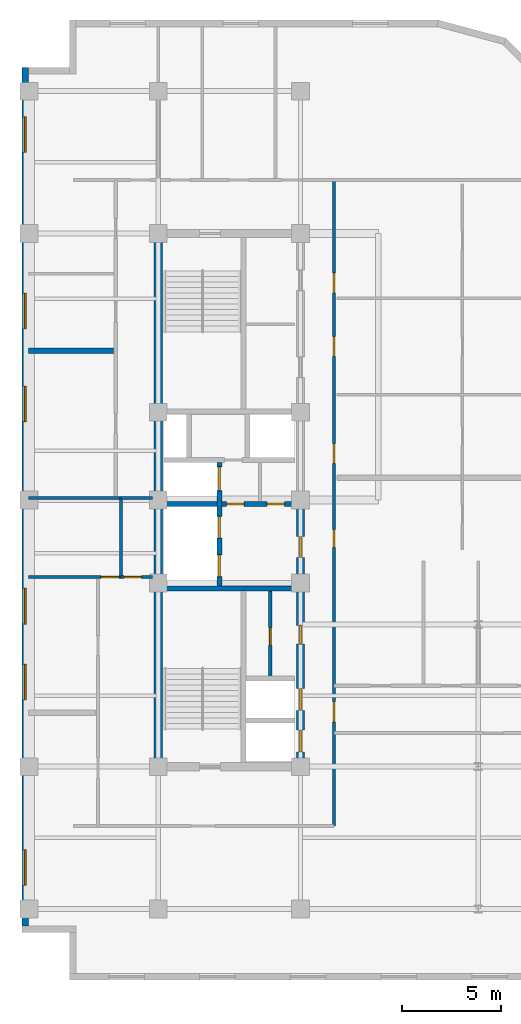
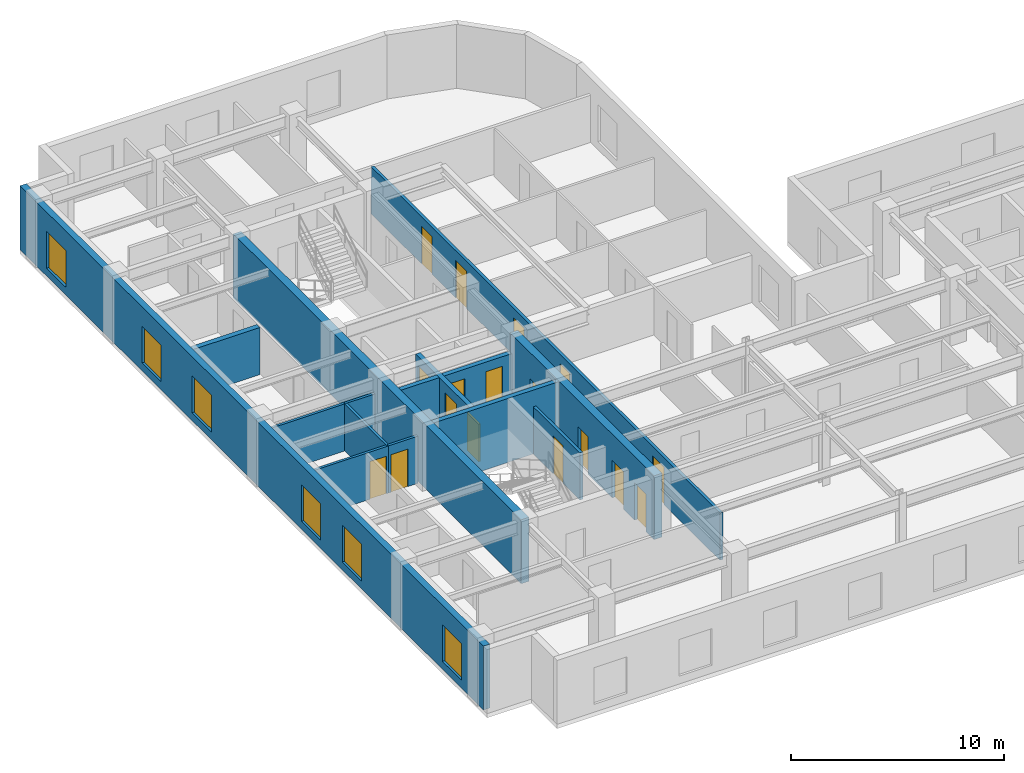
# One storey, part 4 of 10: 17 doors, 14 walls, 6 windows, 23 openings.
"""IFC4 building model written with IfcOpenShell, lengths in metres."""

import ifcopenshell
import ifcopenshell.guid

model = None  # the IFC model being written
_history = None  # IfcOwnerHistory: only IFC2X3 demands one
_inside = {}  # id of a spatial element -> (the spatial element, [elements in it])
_under = {}  # id of a project, library or spatial element -> (it, [spatial elements below it])
_declared = {}  # id of a project -> (the project, [libraries it declares])
_typed = {}  # id of a type object -> (the type object, [elements of that type])
_made_of = {}  # id of a material, layer set ... -> (it, [elements and type objects made of it])


def new_model(schema):
    """Start an empty IFC model of exactly this schema.

    Asked for "IFC4X3", IfcOpenShell would pick the latest addendum, in which some entities
    have other attributes; the version numbers below select the first issue.
    IFC2X3 requires an IfcOwnerHistory on every rooted entity: one is made here for all.
    """
    global model, _history
    if schema == "IFC4X3":
        model = ifcopenshell.file(schema_version=(4, 3, 0, 0))
    else:
        model = ifcopenshell.file(schema=schema)
    _inside.clear()
    _under.clear()
    _declared.clear()
    _typed.clear()
    _made_of.clear()
    _history = None
    if model.schema == "IFC2X3":
        org = make("IfcOrganization", Name="unknown")
        user = make(
            "IfcPersonAndOrganization",
            ThePerson=make("IfcPerson", FamilyName="unknown"),
            TheOrganization=org,
        )
        app = make(
            "IfcApplication",
            ApplicationDeveloper=org,
            Version="unknown",
            ApplicationFullName="unknown",
            ApplicationIdentifier="unknown",
        )
        _history = make(
            "IfcOwnerHistory",
            OwningUser=user,
            OwningApplication=app,
            ChangeAction="ADDED",
            CreationDate=0,
        )
    return model


def make(cls, **values):
    """One entity of the class cls with the attributes given. An attribute that is None is left unset."""
    return model.create_entity(
        cls, **{name: value for name, value in values.items() if value is not None}
    )


def entity(cls, *values):
    """Any entity or typed value of the class cls, its attributes in the order of the schema. None: left unset."""
    e = model.create_entity(cls)
    for i, value in enumerate(values):
        if value is not None:
            e[i] = value
    return e


def rooted(cls, **values):
    """An entity with a GlobalId (a new one), such as an element, a storey or a relation."""
    return make(cls, GlobalId=ifcopenshell.guid.new(), OwnerHistory=_history, **values)


def si_unit(unit_type, name, prefix=None):
    """IfcSIUnit, for example si_unit("LENGTHUNIT", "METRE", prefix="MILLI")."""
    return make("IfcSIUnit", UnitType=unit_type, Prefix=prefix, Name=name)


def converted_unit(unit_type, name, factor, base, dimensions=None, offset=None):
    """IfcConversionBasedUnit, such as the inch: factor (a typed value) times the base unit."""
    return make(
        "IfcConversionBasedUnit"
        if offset is None
        else "IfcConversionBasedUnitWithOffset",
        ConversionOffset=offset,
        Dimensions=None
        if dimensions is None
        else entity("IfcDimensionalExponents", *dimensions),
        UnitType=unit_type,
        Name=name,
        ConversionFactor=make(
            "IfcMeasureWithUnit", ValueComponent=factor, UnitComponent=base
        ),
    )


def assignment(units):
    """IfcUnitAssignment: the units of a project."""
    return None if units is None else make("IfcUnitAssignment", Units=units)


def point(xyz):
    """IfcCartesianPoint."""
    return None if xyz is None else make("IfcCartesianPoint", Coordinates=xyz)


def direction(xyz):
    """IfcDirection."""
    return None if xyz is None else make("IfcDirection", DirectionRatios=xyz)


def frame(location, z_axis=None, x_axis=None):
    """IfcAxis2Placement3D, a coordinate frame: its origin and axes. An axis left out is left unset."""
    return make(
        "IfcAxis2Placement3D",
        Location=point(location),
        Axis=direction(z_axis),
        RefDirection=direction(x_axis),
    )


def frame_2d(location, x_axis=None):
    """IfcAxis2Placement2D, a coordinate frame in the plane: its origin and x axis."""
    return make(
        "IfcAxis2Placement2D", Location=point(location), RefDirection=direction(x_axis)
    )


def origin_with_axes():
    """The frame at (0, 0, 0) with the z axis (0, 0, 1) and the x axis (1, 0, 0) written out."""
    return frame((0.0, 0.0, 0.0), z_axis=(0.0, 0.0, 1.0), x_axis=(1.0, 0.0, 0.0))


def origin_2d_with_axis():
    """The frame at (0, 0) in the plane with the x axis (1, 0) written out."""
    return frame_2d((0.0, 0.0), x_axis=(1.0, 0.0))


def place(relative_to, where):
    """IfcLocalPlacement: puts the frame where relative to a parent placement (None: the world)."""
    return make(
        "IfcLocalPlacement", PlacementRelTo=relative_to, RelativePlacement=where
    )


def context(
    kind, dimensions, precision=None, world=None, true_north=None, identifier=None
):
    """IfcGeometricRepresentationContext, for example the 3D "Model" context."""
    return make(
        "IfcGeometricRepresentationContext",
        ContextIdentifier=identifier,
        ContextType=kind,
        CoordinateSpaceDimension=dimensions,
        Precision=precision,
        WorldCoordinateSystem=world,
        TrueNorth=true_north,
    )


def subcontext(parent, identifier, kind, view, scale=None):
    """IfcGeometricRepresentationSubContext, for example "Body" below "Model"."""
    return make(
        "IfcGeometricRepresentationSubContext",
        ContextIdentifier=identifier,
        ContextType=kind,
        ParentContext=parent,
        TargetScale=scale,
        TargetView=view,
    )


def project(units=None, contexts=None):
    """IfcProject with its units and contexts."""
    return rooted(
        "IfcProject",
        Name="project",
        RepresentationContexts=contexts,
        UnitsInContext=assignment(units),
    )


def spatial(cls, under=None, at=None, **own):
    """A site, building, storey or space (cls), placed at a placement, below another one or the project."""
    s = rooted(cls, ObjectPlacement=at, **own)
    if under is not None:
        _under.setdefault(under.id(), (under, []))[1].append(s)
    return s


def polyline(points):
    """IfcPolyline through the points."""
    return make("IfcPolyline", Points=[point(p) for p in points])


def profile(cls, at=None, kind="AREA", **sizes):
    """A parametric profile (cls). Its sizes go by their IFC names, for example OverallWidth=200.0."""
    return make(cls, ProfileType=kind, Position=at, **sizes)


def rectangle(**sizes):
    """IfcRectangleProfileDef."""
    return profile("IfcRectangleProfileDef", **sizes)


def outline(outer, holes=None, kind="AREA"):
    """IfcArbitraryClosedProfileDef: a profile drawn as a closed curve; with holes, ...WithVoids."""
    if holes is None:
        return make("IfcArbitraryClosedProfileDef", ProfileType=kind, OuterCurve=outer)
    return make(
        "IfcArbitraryProfileDefWithVoids",
        ProfileType=kind,
        OuterCurve=outer,
        InnerCurves=holes,
    )


def extrude(swept, where, along, depth):
    """IfcExtrudedAreaSolid: the profile swept, set in the frame where, extruded along a direction by depth."""
    return make(
        "IfcExtrudedAreaSolid",
        SweptArea=swept,
        Position=where,
        ExtrudedDirection=direction(along),
        Depth=depth,
    )


def shape(context_of_items, identifier, shape_type, items):
    """IfcShapeRepresentation: the items that make up one representation, for example the "Body"."""
    return make(
        "IfcShapeRepresentation",
        ContextOfItems=context_of_items,
        RepresentationIdentifier=identifier,
        RepresentationType=shape_type,
        Items=items,
    )


def material(Name=None, Category=None):
    """IfcMaterial."""
    return make("IfcMaterial", Name=Name, Category=Category)


def layer(
    of_material, thickness, ventilated=None, Name=None, Category=None, Priority=None
):
    """IfcMaterialLayer: one layer of a wall or slab, of a material (None: an air gap)."""
    return make(
        "IfcMaterialLayer",
        Material=of_material,
        LayerThickness=thickness,
        IsVentilated=ventilated,
        Name=Name,
        Category=Category,
        Priority=Priority,
    )


def layer_set(layers, Name=None):
    """IfcMaterialLayerSet."""
    return make("IfcMaterialLayerSet", MaterialLayers=layers, LayerSetName=Name)


def made_of(thing, what):
    """Note that an element or type object is made of a material, layer set ...; save() writes the relation."""
    if what is not None:
        _made_of.setdefault(what.id(), (what, []))[1].append(thing)
    return thing


def type_object(cls, material=None, **own):
    """A type object (cls), such as IfcWallType, which elements share."""
    return made_of(rooted(cls, **own), material)


def element(
    cls,
    number,
    at=None,
    inside=None,
    cuts=None,
    type_object=None,
    material=None,
    context=None,
    identifier="Body",
    shape_type=None,
    held_by="IfcProductDefinitionShape",
    body=None,
    shapes=None,
    **own,
):
    """One element of the class cls, such as IfcWall. Its Tag is "e" and its number.

    at: its placement. inside: the storey or other place that contains it. cuts: it is an
    opening in that element (IfcRelVoidsElement). A single representation is given by context,
    identifier, shape_type and body (its items); several are given by shapes. held_by: the class
    of the entity that holds the representations. save() writes the other relations.
    """
    e = rooted(cls, Tag="e%d" % number, ObjectPlacement=at, **own)
    if body is not None:
        shapes = [shape(context, identifier, shape_type, body)]
    if shapes is not None:
        e.Representation = make(held_by, Representations=shapes)
    if inside is not None:
        _inside.setdefault(inside.id(), (inside, []))[1].append(e)
    if cuts is not None:
        rooted(
            "IfcRelVoidsElement", RelatingBuildingElement=cuts, RelatedOpeningElement=e
        )
    if type_object is not None:
        _typed.setdefault(type_object.id(), (type_object, []))[1].append(e)
    return made_of(e, material)


def fill(opening, filler):
    """IfcRelFillsElement: the door or window that sits in an opening."""
    return rooted(
        "IfcRelFillsElement",
        RelatingOpeningElement=opening,
        RelatedBuildingElement=filler,
    )


def aggregate(whole, parts):
    """IfcRelAggregates: a whole, such as a stair, and the parts it consists of."""
    return rooted("IfcRelAggregates", RelatingObject=whole, RelatedObjects=parts)


def save(model, path):
    """Write the relations noted so far, then the file.

    IfcRelAggregates (storeys below a building ...), IfcRelContainedInSpatialStructure (elements
    in a storey), IfcRelDefinesByType, IfcRelAssociatesMaterial and IfcRelDeclares: one each for
    every whole, place, type object, material and project.
    """
    for whole, parts in _under.values():
        aggregate(whole, parts)
    for where, things in _inside.values():
        rooted(
            "IfcRelContainedInSpatialStructure",
            RelatedElements=things,
            RelatingStructure=where,
        )
    for kind, things in _typed.values():
        rooted("IfcRelDefinesByType", RelatedObjects=things, RelatingType=kind)
    for what, things in _made_of.values():
        rooted("IfcRelAssociatesMaterial", RelatedObjects=things, RelatingMaterial=what)
    for by, libraries in _declared.values():
        rooted("IfcRelDeclares", RelatingContext=by, RelatedDefinitions=libraries)
    model.write(path)


model = new_model("IFC4")

# Units and contexts
model_context = context("Model", 3, precision=1e-05, world=origin_with_axes(), true_north=direction((0.0, 1.0)))
body_context = subcontext(model_context, "Body", "Model", "MODEL_VIEW")
ifc_project = project(units=[si_unit("LENGTHUNIT", "METRE"), si_unit("AREAUNIT", "SQUARE_METRE"), si_unit("VOLUMEUNIT", "CUBIC_METRE"), converted_unit("PLANEANGLEUNIT", "DEGREE", entity("IfcPlaneAngleMeasure", 0.017453292519943295), si_unit("PLANEANGLEUNIT", "RADIAN"), dimensions=[0, 0, 0, 0, 0, 0, 0]), si_unit("MASSUNIT", "GRAM", prefix="KILO"), si_unit("THERMODYNAMICTEMPERATUREUNIT", "KELVIN")], contexts=[model_context])

# Site, building, storey
site_placement = place(None, origin_with_axes())
site = spatial("IfcSite", under=ifc_project, at=site_placement, CompositionType="ELEMENT")
building_placement = place(site_placement, origin_with_axes())
building = spatial("IfcBuilding", under=site, at=building_placement, Name="Varnlund Millrace Tower", CompositionType="ELEMENT")
storey_placement = place(building_placement, frame((0.0, 0.0, 240.3), z_axis=(0.0, 0.0, 1.0), x_axis=(1.0, 0.0, 0.0)))
storey = spatial("IfcBuildingStorey", under=building, at=storey_placement, Name="L59", CompositionType="ELEMENT", Elevation=240.3)

# Wall
ifc_material_1 = material(Name="Concrete C60/75", Category="concrete")
ifc_layer_1 = layer(ifc_material_1, 0.42, Name="Concrete C60/75")
ifc_layer_set_1 = layer_set([ifc_layer_1], Name="Concrete C60/75")
wall_type_1 = type_object("IfcWallType", Name="Type-CoreWall-Shear-420-C60", PredefinedType="SHEAR", material=ifc_layer_set_1)
wall_1_placement = place(storey_placement, frame((11.4, 10.8, 0.0), z_axis=(0.0, 0.0, 1.0), x_axis=(0.0, 1.0, 0.0)))
element("IfcWall", 1, at=wall_1_placement, inside=storey, type_object=wall_type_1, Name="Type-CoreWall-Shear-420-C60", PredefinedType="SHEAR", context=body_context, shape_type="SweptSolid", body=[
    extrude(outline(polyline([(0.0, -0.21), (27.0, -0.21), (27.0, 0.21), (0.0, 0.21), (0.0, -0.21)])), origin_with_axes(), (0.0, 0.0, 1.0), 3.66),
])

# Wall, openings, doors
wall_2_placement = place(storey_placement, frame((18.6, 10.8, 0.0), z_axis=(0.0, 0.0, 1.0), x_axis=(0.0, 1.0, 0.0)))
wall_2 = element("IfcWall", 2, at=wall_2_placement, inside=storey, type_object=wall_type_1, Name="Type-CoreWall-Shear-420-C60", PredefinedType="SHEAR", context=body_context, shape_type="SweptSolid", body=[
    extrude(outline(polyline([(0.0, -0.21), (13.5, -0.21), (13.5, 0.21), (0.0, 0.21), (0.0, -0.21)])), origin_with_axes(), (0.0, 0.0, 1.0), 3.66),
])
opening_1_placement = place(wall_2_placement, frame((1.3, 0.0, 0.0), z_axis=(0.0, 0.0, 1.0), x_axis=(1.0, 0.0, 0.0)))
opening_1 = element("IfcOpeningElement", 3, at=opening_1_placement, cuts=wall_2, Name="Opening L59:LD-ELV-H1", PredefinedType="OPENING", context=body_context, shape_type="SweptSolid", body=[
    extrude(rectangle(XDim=1.1, YDim=0.44, at=origin_2d_with_axis()), origin_with_axes(), (0.0, 0.0, 1.0), 2.15),
])
opening_2_placement = place(wall_2_placement, frame((3.4, 0.0, 0.0), z_axis=(0.0, 0.0, 1.0), x_axis=(1.0, 0.0, 0.0)))
opening_2 = element("IfcOpeningElement", 4, at=opening_2_placement, cuts=wall_2, Name="Opening L59:LD-ELV-H2", PredefinedType="OPENING", context=body_context, shape_type="SweptSolid", body=[
    extrude(rectangle(XDim=1.1, YDim=0.44, at=origin_2d_with_axis()), origin_with_axes(), (0.0, 0.0, 1.0), 2.15),
])
opening_3_placement = place(wall_2_placement, frame((11.125, 0.0, 0.0), z_axis=(0.0, 0.0, 1.0), x_axis=(1.0, 0.0, 0.0)))
opening_3 = element("IfcOpeningElement", 5, at=opening_3_placement, cuts=wall_2, Name="Opening L59:DR-FFLOB-A", PredefinedType="OPENING", context=body_context, shape_type="SweptSolid", body=[
    extrude(rectangle(XDim=1.05, YDim=0.44, at=origin_2d_with_axis()), origin_with_axes(), (0.0, 0.0, 1.0), 2.15),
])
opening_4_placement = place(wall_2_placement, frame((6.675, 0.0, 0.0), z_axis=(0.0, 0.0, 1.0), x_axis=(1.0, 0.0, 0.0)))
opening_4 = element("IfcOpeningElement", 6, at=opening_4_placement, cuts=wall_2, Name="Opening L59:DR-RECL-S1B2", PredefinedType="OPENING", context=body_context, shape_type="SweptSolid", body=[
    extrude(rectangle(XDim=0.95, YDim=0.44, at=origin_2d_with_axis()), origin_with_axes(), (0.0, 0.0, 1.0), 2.15),
])
ifc_material_2 = material(Name="Smoke-barrier hollow steel fire door", Category="steel")
door_type_1 = type_object("IfcDoorType", Name="Type-FireDoor-Lobby-1050X2150", OperationType="NOTDEFINED", PredefinedType="DOOR", material=ifc_material_2)
door_1_placement = place(wall_2_placement, frame((11.125, 0.0, 0.0), z_axis=(0.0, 0.0, 1.0), x_axis=(1.0, 0.0, 0.0)))
door_1 = element("IfcDoor", 7, at=door_1_placement, inside=storey, type_object=door_type_1, Name="Type-FireDoor-Lobby-1050X2150", OperationType="SINGLE_SWING_LEFT", OverallHeight=2.15, OverallWidth=1.05, PredefinedType="DOOR", context=body_context, shape_type="SweptSolid", body=[
    extrude(rectangle(XDim=1.05, YDim=0.09, at=origin_2d_with_axis()), origin_with_axes(), (0.0, 0.0, 1.0), 2.15),
])
fill(opening_3, door_1)
ifc_material_3 = material(Name="Fire-rated hollow steel core service door", Category="steel")
door_type_2 = type_object("IfcDoorType", Name="Type-FireDoor-Service-950X2150", OperationType="NOTDEFINED", PredefinedType="DOOR", material=ifc_material_3)
door_2_placement = place(wall_2_placement, frame((6.675, 0.0, 0.0), z_axis=(0.0, 0.0, 1.0), x_axis=(1.0, 0.0, 0.0)))
door_2 = element("IfcDoor", 8, at=door_2_placement, inside=storey, type_object=door_type_2, Name="Type-FireDoor-Service-950X2150", OperationType="SINGLE_SWING_RIGHT", OverallHeight=2.15, OverallWidth=0.95, PredefinedType="DOOR", context=body_context, shape_type="SweptSolid", body=[
    extrude(rectangle(XDim=0.95, YDim=0.09, at=origin_2d_with_axis()), origin_with_axes(), (0.0, 0.0, 1.0), 2.15),
])
fill(opening_4, door_2)
ifc_material_4 = material(Name="Stainless and architectural bronze sliding landing door")
door_type_3 = type_object("IfcDoorType", Name="Type-LiftLandingDoor-1100X2150", OperationType="NOTDEFINED", PredefinedType="DOOR", material=ifc_material_4)
door_3_placement = place(wall_2_placement, frame((1.3, 0.0, 0.0), z_axis=(0.0, 0.0, 1.0), x_axis=(1.0, 0.0, 0.0)))
door_3 = element("IfcDoor", 9, at=door_3_placement, inside=storey, type_object=door_type_3, Name="Type-LiftLandingDoor-1100X2150", OperationType="SLIDING_TO_LEFT", OverallHeight=2.15, OverallWidth=1.1, PredefinedType="DOOR", context=body_context, shape_type="SweptSolid", body=[
    extrude(rectangle(XDim=1.1, YDim=0.09, at=origin_2d_with_axis()), origin_with_axes(), (0.0, 0.0, 1.0), 2.15),
])
fill(opening_1, door_3)
door_4_placement = place(wall_2_placement, frame((3.4, 0.0, 0.0), z_axis=(0.0, 0.0, 1.0), x_axis=(1.0, 0.0, 0.0)))
door_4 = element("IfcDoor", 10, at=door_4_placement, inside=storey, type_object=door_type_3, Name="Type-LiftLandingDoor-1100X2150", OperationType="SLIDING_TO_RIGHT", OverallHeight=2.15, OverallWidth=1.1, PredefinedType="DOOR", context=body_context, shape_type="SweptSolid", body=[
    extrude(rectangle(XDim=1.1, YDim=0.09, at=origin_2d_with_axis()), origin_with_axes(), (0.0, 0.0, 1.0), 2.15),
])
fill(opening_2, door_4)

# Wall, openings, windows
ifc_material_5 = material(Name="Precast concrete C50/60", Category="concrete")
ifc_layer_2 = layer(ifc_material_5, 0.34, Name="Precast concrete C50/60")
ifc_layer_set_2 = layer_set([ifc_layer_2], Name="Precast concrete C50/60")
wall_type_2 = type_object("IfcWallType", Name="Type-ExtWall-Precast-Upper-340", PredefinedType="SOLIDWALL", material=ifc_layer_set_2)
wall_3_placement = place(storey_placement, frame((4.67, 2.74, 0.0), z_axis=(0.0, 0.0, 1.0), x_axis=(0.0, 1.0, 0.0)))
wall_3 = element("IfcWall", 11, at=wall_3_placement, inside=storey, type_object=wall_type_2, Name="Type-ExtWall-Precast-Upper-340", PredefinedType="SOLIDWALL", context=body_context, shape_type="SweptSolid", body=[
    extrude(outline(polyline([(0.0, -0.17), (43.46, -0.17), (43.46, 0.17), (0.0, 0.17), (0.0, -0.17)])), origin_with_axes(), (0.0, 0.0, 1.0), 3.66),
])
opening_5_placement = place(wall_3_placement, frame((2.948, 0.0, 0.45), z_axis=(0.0, 0.0, 1.0), x_axis=(1.0, 0.0, 0.0)))
opening_5 = element("IfcOpeningElement", 12, at=opening_5_placement, cuts=wall_3, Name="Opening L59:WN-16", PredefinedType="OPENING", context=body_context, shape_type="SweptSolid", body=[
    extrude(rectangle(XDim=1.8, YDim=0.36, at=origin_2d_with_axis()), origin_with_axes(), (0.0, 0.0, 1.0), 2.1),
])
opening_6_placement = place(wall_3_placement, frame((12.339, 0.0, 0.45), z_axis=(0.0, 0.0, 1.0), x_axis=(1.0, 0.0, 0.0)))
opening_6 = element("IfcOpeningElement", 13, at=opening_6_placement, cuts=wall_3, Name="Opening L59:WN-17", PredefinedType="OPENING", context=body_context, shape_type="SweptSolid", body=[
    extrude(rectangle(XDim=1.8, YDim=0.36, at=origin_2d_with_axis()), origin_with_axes(), (0.0, 0.0, 1.0), 2.1),
])
opening_7_placement = place(wall_3_placement, frame((16.184, 0.0, 0.45), z_axis=(0.0, 0.0, 1.0), x_axis=(1.0, 0.0, 0.0)))
opening_7 = element("IfcOpeningElement", 14, at=opening_7_placement, cuts=wall_3, Name="Opening L59:WN-18", PredefinedType="OPENING", context=body_context, shape_type="SweptSolid", body=[
    extrude(rectangle(XDim=1.8, YDim=0.36, at=origin_2d_with_axis()), origin_with_axes(), (0.0, 0.0, 1.0), 2.1),
])
opening_8_placement = place(wall_3_placement, frame((26.426, 0.0, 0.45), z_axis=(0.0, 0.0, 1.0), x_axis=(1.0, 0.0, 0.0)))
opening_8 = element("IfcOpeningElement", 15, at=opening_8_placement, cuts=wall_3, Name="Opening L59:WN-19", PredefinedType="OPENING", context=body_context, shape_type="SweptSolid", body=[
    extrude(rectangle(XDim=1.8, YDim=0.36, at=origin_2d_with_axis()), origin_with_axes(), (0.0, 0.0, 1.0), 2.1),
])
opening_9_placement = place(wall_3_placement, frame((31.121, 0.0, 0.45), z_axis=(0.0, 0.0, 1.0), x_axis=(1.0, 0.0, 0.0)))
opening_9 = element("IfcOpeningElement", 16, at=opening_9_placement, cuts=wall_3, Name="Opening L59:WN-20", PredefinedType="OPENING", context=body_context, shape_type="SweptSolid", body=[
    extrude(rectangle(XDim=1.8, YDim=0.36, at=origin_2d_with_axis()), origin_with_axes(), (0.0, 0.0, 1.0), 2.1),
])
opening_10_placement = place(wall_3_placement, frame((40.062, 0.0, 0.45), z_axis=(0.0, 0.0, 1.0), x_axis=(1.0, 0.0, 0.0)))
opening_10 = element("IfcOpeningElement", 17, at=opening_10_placement, cuts=wall_3, Name="Opening L59:WN-21", PredefinedType="OPENING", context=body_context, shape_type="SweptSolid", body=[
    extrude(rectangle(XDim=1.8, YDim=0.36, at=origin_2d_with_axis()), origin_with_axes(), (0.0, 0.0, 1.0), 2.1),
])
ifc_material_6 = material(Name="Argon low-e triple glazing in thermally broken bronze frame", Category="glass")
window_type = type_object("IfcWindowType", Name="Type-Window-Punched-1800X2100", PartitioningType="SINGLE_PANEL", PredefinedType="WINDOW", material=ifc_material_6)
window_1_placement = place(wall_3_placement, frame((2.948, 0.0, 0.45), z_axis=(0.0, 0.0, 1.0), x_axis=(1.0, 0.0, 0.0)))
window_1 = element("IfcWindow", 18, at=window_1_placement, inside=storey, type_object=window_type, Name="Type-Window-Punched-1800X2100", OverallHeight=2.1, OverallWidth=1.8, PredefinedType="WINDOW", context=body_context, shape_type="SweptSolid", body=[
    extrude(rectangle(XDim=1.8, YDim=0.09, at=origin_2d_with_axis()), origin_with_axes(), (0.0, 0.0, 1.0), 2.1),
])
fill(opening_5, window_1)
window_2_placement = place(wall_3_placement, frame((12.339, 0.0, 0.45), z_axis=(0.0, 0.0, 1.0), x_axis=(1.0, 0.0, 0.0)))
window_2 = element("IfcWindow", 19, at=window_2_placement, inside=storey, type_object=window_type, Name="Type-Window-Punched-1800X2100", OverallHeight=2.1, OverallWidth=1.8, PredefinedType="WINDOW", context=body_context, shape_type="SweptSolid", body=[
    extrude(rectangle(XDim=1.8, YDim=0.09, at=origin_2d_with_axis()), origin_with_axes(), (0.0, 0.0, 1.0), 2.1),
])
fill(opening_6, window_2)
window_3_placement = place(wall_3_placement, frame((16.184, 0.0, 0.45), z_axis=(0.0, 0.0, 1.0), x_axis=(1.0, 0.0, 0.0)))
window_3 = element("IfcWindow", 20, at=window_3_placement, inside=storey, type_object=window_type, Name="Type-Window-Punched-1800X2100", OverallHeight=2.1, OverallWidth=1.8, PredefinedType="WINDOW", context=body_context, shape_type="SweptSolid", body=[
    extrude(rectangle(XDim=1.8, YDim=0.09, at=origin_2d_with_axis()), origin_with_axes(), (0.0, 0.0, 1.0), 2.1),
])
fill(opening_7, window_3)
window_4_placement = place(wall_3_placement, frame((26.426, 0.0, 0.45), z_axis=(0.0, 0.0, 1.0), x_axis=(1.0, 0.0, 0.0)))
window_4 = element("IfcWindow", 21, at=window_4_placement, inside=storey, type_object=window_type, Name="Type-Window-Punched-1800X2100", OverallHeight=2.1, OverallWidth=1.8, PredefinedType="WINDOW", context=body_context, shape_type="SweptSolid", body=[
    extrude(rectangle(XDim=1.8, YDim=0.09, at=origin_2d_with_axis()), origin_with_axes(), (0.0, 0.0, 1.0), 2.1),
])
fill(opening_8, window_4)
window_5_placement = place(wall_3_placement, frame((31.121, 0.0, 0.45), z_axis=(0.0, 0.0, 1.0), x_axis=(1.0, 0.0, 0.0)))
window_5 = element("IfcWindow", 22, at=window_5_placement, inside=storey, type_object=window_type, Name="Type-Window-Punched-1800X2100", OverallHeight=2.1, OverallWidth=1.8, PredefinedType="WINDOW", context=body_context, shape_type="SweptSolid", body=[
    extrude(rectangle(XDim=1.8, YDim=0.09, at=origin_2d_with_axis()), origin_with_axes(), (0.0, 0.0, 1.0), 2.1),
])
fill(opening_9, window_5)
window_6_placement = place(wall_3_placement, frame((40.062, 0.0, 0.45), z_axis=(0.0, 0.0, 1.0), x_axis=(1.0, 0.0, 0.0)))
window_6 = element("IfcWindow", 23, at=window_6_placement, inside=storey, type_object=window_type, Name="Type-Window-Punched-1800X2100", OverallHeight=2.1, OverallWidth=1.8, PredefinedType="WINDOW", context=body_context, shape_type="SweptSolid", body=[
    extrude(rectangle(XDim=1.8, YDim=0.09, at=origin_2d_with_axis()), origin_with_axes(), (0.0, 0.0, 1.0), 2.1),
])
fill(opening_10, window_6)

# Wall
ifc_material_7 = material(Name="Double-stud STC-60 conference acoustic partition", Category="gypsum")
ifc_layer_3 = layer(ifc_material_7, 0.28, Name="Double-stud STC-60 conference acoustic partition")
ifc_layer_set_3 = layer_set([ifc_layer_3], Name="Double-stud STC-60 conference acoustic partition")
wall_type_3 = type_object("IfcWallType", Name="Type-Partition-Acoustic-280", PredefinedType="PARTITIONING", material=ifc_layer_set_3)
wall_4_placement = place(storey_placement, frame((4.835, 31.869, 0.0), z_axis=(0.0, 0.0, 1.0), x_axis=(1.0, 0.0, 0.0)))
element("IfcWall", 24, at=wall_4_placement, inside=storey, type_object=wall_type_3, Name="Type-Partition-Acoustic-280", PredefinedType="PARTITIONING", context=body_context, shape_type="SweptSolid", body=[
    extrude(outline(polyline([(0.0, -0.14), (4.295, -0.14), (4.295, 0.14), (0.0, 0.14), (0.0, -0.14)])), origin_with_axes(), (0.0, 0.0, 1.0), 2.7),
])

# Wall, opening, door
ifc_material_8 = material(Name="Fire-rated gypsum board on cold-formed steel framing", Category="steel")
ifc_layer_4 = layer(ifc_material_8, 0.16, Name="Fire-rated gypsum board on cold-formed steel framing")
ifc_layer_set_4 = layer_set([ifc_layer_4], Name="Fire-rated gypsum board on cold-formed steel framing")
wall_type_4 = type_object("IfcWallType", Name="Type-Partition-Corridor-160", PredefinedType="PARTITIONING", material=ifc_layer_set_4)
wall_5_placement = place(storey_placement, frame((17.07, 15.34, 0.0), z_axis=(0.0, 0.0, 1.0), x_axis=(0.0, 1.0, 0.0)))
wall_5 = element("IfcWall", 25, at=wall_5_placement, inside=storey, type_object=wall_type_4, Name="Type-Partition-Corridor-160", PredefinedType="PARTITIONING", context=body_context, shape_type="SweptSolid", body=[
    extrude(outline(polyline([(0.0, -0.08), (4.36, -0.08), (4.36, 0.08), (0.0, 0.08), (0.0, -0.08)])), origin_with_axes(), (0.0, 0.0, 1.0), 2.7),
])
opening_11_placement = place(wall_5_placement, frame((2.05, 0.0, 0.0), z_axis=(0.0, 0.0, 1.0), x_axis=(1.0, 0.0, 0.0)))
opening_11 = element("IfcOpeningElement", 26, at=opening_11_placement, cuts=wall_5, Name="Opening L59:DR-RECL-S1B1", PredefinedType="OPENING", context=body_context, shape_type="SweptSolid", body=[
    extrude(rectangle(XDim=0.9, YDim=0.18, at=origin_2d_with_axis()), origin_with_axes(), (0.0, 0.0, 1.0), 2.15),
])
ifc_material_9 = material(Name="Painted steel riser and closet door", Category="steel")
door_type_4 = type_object("IfcDoorType", Name="Type-IntDoor-Closet-900X2150", OperationType="NOTDEFINED", PredefinedType="DOOR", material=ifc_material_9)
door_5_placement = place(wall_5_placement, frame((2.05, 0.0, 0.0), z_axis=(0.0, 0.0, 1.0), x_axis=(1.0, 0.0, 0.0)))
door_5 = element("IfcDoor", 27, at=door_5_placement, inside=storey, type_object=door_type_4, Name="Type-IntDoor-Closet-900X2150", OperationType="SINGLE_SWING_LEFT", OverallHeight=2.15, OverallWidth=0.9, PredefinedType="DOOR", context=body_context, shape_type="SweptSolid", body=[
    extrude(rectangle(XDim=0.9, YDim=0.09, at=origin_2d_with_axis()), origin_with_axes(), (0.0, 0.0, 1.0), 2.15),
])
fill(opening_11, door_5)

# Wall, openings, doors
wall_6_placement = place(storey_placement, frame((20.3, 7.8, 0.0), z_axis=(0.0, 0.0, 1.0), x_axis=(0.0, 1.0, 0.0)))
wall_6 = element("IfcWall", 28, at=wall_6_placement, inside=storey, type_object=wall_type_4, Name="Type-Partition-Corridor-160", PredefinedType="PARTITIONING", context=body_context, shape_type="SweptSolid", body=[
    extrude(outline(polyline([(0.0, -0.08), (32.7, -0.08), (32.7, 0.08), (0.0, 0.08), (0.0, -0.08)])), origin_with_axes(), (0.0, 0.0, 1.0), 2.7),
])
opening_12_placement = place(wall_6_placement, frame((14.55, 0.0, 0.0), z_axis=(0.0, 0.0, 1.0), x_axis=(1.0, 0.0, 0.0)))
opening_12 = element("IfcOpeningElement", 29, at=opening_12_placement, cuts=wall_6, Name="Opening L59:DR-FLR-01", PredefinedType="OPENING", context=body_context, shape_type="SweptSolid", body=[
    extrude(rectangle(XDim=0.9, YDim=0.18, at=origin_2d_with_axis()), origin_with_axes(), (0.0, 0.0, 1.0), 2.15),
])
opening_13_placement = place(wall_6_placement, frame((18.86, 0.0, 0.0), z_axis=(0.0, 0.0, 1.0), x_axis=(1.0, 0.0, 0.0)))
opening_13 = element("IfcOpeningElement", 30, at=opening_13_placement, cuts=wall_6, Name="Opening L59:DR-FLR-02", PredefinedType="OPENING", context=body_context, shape_type="SweptSolid", body=[
    extrude(rectangle(XDim=1.0, YDim=0.18, at=origin_2d_with_axis()), origin_with_axes(), (0.0, 0.0, 1.0), 2.15),
])
opening_14_placement = place(wall_6_placement, frame((24.2755, 0.0, 0.0), z_axis=(0.0, 0.0, 1.0), x_axis=(1.0, 0.0, 0.0)))
opening_14 = element("IfcOpeningElement", 31, at=opening_14_placement, cuts=wall_6, Name="Opening L59:DR-FLR-03", PredefinedType="OPENING", context=body_context, shape_type="SweptSolid", body=[
    extrude(rectangle(XDim=1.0, YDim=0.18, at=origin_2d_with_axis()), origin_with_axes(), (0.0, 0.0, 1.0), 2.15),
])
opening_15_placement = place(wall_6_placement, frame((27.491, 0.0, 0.0), z_axis=(0.0, 0.0, 1.0), x_axis=(1.0, 0.0, 0.0)))
opening_15 = element("IfcOpeningElement", 32, at=opening_15_placement, cuts=wall_6, Name="Opening L59:DR-FLR-04", PredefinedType="OPENING", context=body_context, shape_type="SweptSolid", body=[
    extrude(rectangle(XDim=1.0, YDim=0.18, at=origin_2d_with_axis()), origin_with_axes(), (0.0, 0.0, 1.0), 2.15),
])
opening_16_placement = place(wall_6_placement, frame((5.775, 0.0, 0.0), z_axis=(0.0, 0.0, 1.0), x_axis=(1.0, 0.0, 0.0)))
opening_16 = element("IfcOpeningElement", 33, at=opening_16_placement, cuts=wall_6, Name="Opening L59:DR-KN-W", PredefinedType="OPENING", context=body_context, shape_type="SweptSolid", body=[
    extrude(rectangle(XDim=1.05, YDim=0.18, at=origin_2d_with_axis()), origin_with_axes(), (0.0, 0.0, 1.0), 2.15),
])
door_6_placement = place(wall_6_placement, frame((5.775, 0.0, 0.0), z_axis=(0.0, 0.0, 1.0), x_axis=(1.0, 0.0, 0.0)))
door_6 = element("IfcDoor", 34, at=door_6_placement, inside=storey, type_object=door_type_1, Name="Type-FireDoor-Lobby-1050X2150", OperationType="SINGLE_SWING_LEFT", OverallHeight=2.15, OverallWidth=1.05, PredefinedType="DOOR", context=body_context, shape_type="SweptSolid", body=[
    extrude(rectangle(XDim=1.05, YDim=0.09, at=origin_2d_with_axis()), origin_with_axes(), (0.0, 0.0, 1.0), 2.15),
])
fill(opening_16, door_6)
door_7_placement = place(wall_6_placement, frame((14.55, 0.0, 0.0), z_axis=(0.0, 0.0, 1.0), x_axis=(1.0, 0.0, 0.0)))
door_7 = element("IfcDoor", 35, at=door_7_placement, inside=storey, type_object=door_type_4, Name="Type-IntDoor-Closet-900X2150", OperationType="SINGLE_SWING_LEFT", OverallHeight=2.15, OverallWidth=0.9, PredefinedType="DOOR", context=body_context, shape_type="SweptSolid", body=[
    extrude(rectangle(XDim=0.9, YDim=0.09, at=origin_2d_with_axis()), origin_with_axes(), (0.0, 0.0, 1.0), 2.15),
])
fill(opening_12, door_7)
ifc_material_10 = material(Name="Solid-core white oak and bronze frame door")
door_type_5 = type_object("IfcDoorType", Name="Type-IntDoor-Office-1000X2150", OperationType="NOTDEFINED", PredefinedType="DOOR", material=ifc_material_10)
door_8_placement = place(wall_6_placement, frame((18.86, 0.0, 0.0), z_axis=(0.0, 0.0, 1.0), x_axis=(1.0, 0.0, 0.0)))
door_8 = element("IfcDoor", 36, at=door_8_placement, inside=storey, type_object=door_type_5, Name="Type-IntDoor-Office-1000X2150", OperationType="SINGLE_SWING_RIGHT", OverallHeight=2.15, OverallWidth=1.0, PredefinedType="DOOR", context=body_context, shape_type="SweptSolid", body=[
    extrude(rectangle(XDim=1.0, YDim=0.09, at=origin_2d_with_axis()), origin_with_axes(), (0.0, 0.0, 1.0), 2.15),
])
fill(opening_13, door_8)
door_9_placement = place(wall_6_placement, frame((24.2755, 0.0, 0.0), z_axis=(0.0, 0.0, 1.0), x_axis=(1.0, 0.0, 0.0)))
door_9 = element("IfcDoor", 37, at=door_9_placement, inside=storey, type_object=door_type_5, Name="Type-IntDoor-Office-1000X2150", OperationType="SINGLE_SWING_LEFT", OverallHeight=2.15, OverallWidth=1.0, PredefinedType="DOOR", context=body_context, shape_type="SweptSolid", body=[
    extrude(rectangle(XDim=1.0, YDim=0.09, at=origin_2d_with_axis()), origin_with_axes(), (0.0, 0.0, 1.0), 2.15),
])
fill(opening_14, door_9)
door_10_placement = place(wall_6_placement, frame((27.491, 0.0, 0.0), z_axis=(0.0, 0.0, 1.0), x_axis=(1.0, 0.0, 0.0)))
door_10 = element("IfcDoor", 38, at=door_10_placement, inside=storey, type_object=door_type_5, Name="Type-IntDoor-Office-1000X2150", OperationType="SINGLE_SWING_RIGHT", OverallHeight=2.15, OverallWidth=1.0, PredefinedType="DOOR", context=body_context, shape_type="SweptSolid", body=[
    extrude(rectangle(XDim=1.0, YDim=0.09, at=origin_2d_with_axis()), origin_with_axes(), (0.0, 0.0, 1.0), 2.15),
])
fill(opening_15, door_10)

# Wall
ifc_material_11 = material(Name="Moisture-resistant gypsum restroom partition", Category="gypsum")
ifc_layer_5 = layer(ifc_material_11, 0.14, Name="Moisture-resistant gypsum restroom partition")
ifc_layer_set_5 = layer_set([ifc_layer_5], Name="Moisture-resistant gypsum restroom partition")
wall_type_5 = type_object("IfcWallType", Name="Type-Partition-Wet-140", PredefinedType="PARTITIONING", material=ifc_layer_set_5)
wall_7_placement = place(storey_placement, frame((9.52, 20.4, 0.0), z_axis=(0.0, 0.0, 1.0), x_axis=(0.0, 1.0, 0.0)))
element("IfcWall", 39, at=wall_7_placement, inside=storey, type_object=wall_type_5, Name="Type-Partition-Wet-140", PredefinedType="PARTITIONING", context=body_context, shape_type="SweptSolid", body=[
    extrude(outline(polyline([(0.0, -0.07), (4.0, -0.07), (4.0, 0.07), (0.0, 0.07), (0.0, -0.07)])), origin_with_axes(), (0.0, 0.0, 1.0), 2.7),
])

# Wall, opening, door
wall_8_placement = place(storey_placement, frame((9.52, 20.4, 0.0), z_axis=(0.0, 0.0, 1.0), x_axis=(1.0, 0.0, 0.0)))
wall_8 = element("IfcWall", 40, at=wall_8_placement, inside=storey, type_object=wall_type_5, Name="Type-Partition-Wet-140", PredefinedType="PARTITIONING", context=body_context, shape_type="SweptSolid", body=[
    extrude(outline(polyline([(0.0, -0.07), (1.58, -0.07), (1.58, 0.07), (0.0, 0.07), (0.0, -0.07)])), origin_with_axes(), (0.0, 0.0, 1.0), 2.7),
])
opening_17_placement = place(wall_8_placement, frame((0.59, 0.0, 0.0), z_axis=(0.0, 0.0, 1.0), x_axis=(1.0, 0.0, 0.0)))
opening_17 = element("IfcOpeningElement", 41, at=opening_17_placement, cuts=wall_8, Name="Opening L59:DR-CA-WCW", PredefinedType="OPENING", context=body_context, shape_type="SweptSolid", body=[
    extrude(rectangle(XDim=0.9, YDim=0.16, at=origin_2d_with_axis()), origin_with_axes(), (0.0, 0.0, 1.0), 2.15),
])
door_11_placement = place(wall_8_placement, frame((0.59, 0.0, 0.0), z_axis=(0.0, 0.0, 1.0), x_axis=(1.0, 0.0, 0.0)))
door_11 = element("IfcDoor", 42, at=door_11_placement, inside=storey, type_object=door_type_4, Name="Type-IntDoor-Closet-900X2150", OperationType="SINGLE_SWING_LEFT", OverallHeight=2.15, OverallWidth=0.9, PredefinedType="DOOR", context=body_context, shape_type="SweptSolid", body=[
    extrude(rectangle(XDim=0.9, YDim=0.084, at=origin_2d_with_axis()), origin_with_axes(), (0.0, 0.0, 1.0), 2.15),
])
fill(opening_17, door_11)

# Wall
wall_9_placement = place(storey_placement, frame((9.52, 24.4, 0.0), z_axis=(0.0, 0.0, 1.0), x_axis=(1.0, 0.0, 0.0)))
element("IfcWall", 43, at=wall_9_placement, inside=storey, type_object=wall_type_5, Name="Type-Partition-Wet-140", PredefinedType="PARTITIONING", context=body_context, shape_type="SweptSolid", body=[
    extrude(outline(polyline([(0.0, -0.07), (1.58, -0.07), (1.58, 0.07), (0.0, 0.07), (0.0, -0.07)])), origin_with_axes(), (0.0, 0.0, 1.0), 2.7),
])

# Wall, opening, door
wall_10_placement = place(storey_placement, frame((4.835, 20.4, 0.0), z_axis=(0.0, 0.0, 1.0), x_axis=(1.0, 0.0, 0.0)))
wall_10 = element("IfcWall", 44, at=wall_10_placement, inside=storey, type_object=wall_type_5, Name="Type-Partition-Wet-140", PredefinedType="PARTITIONING", context=body_context, shape_type="SweptSolid", body=[
    extrude(outline(polyline([(0.0, -0.07), (4.685, -0.07), (4.685, 0.07), (0.0, 0.07), (0.0, -0.07)])), origin_with_axes(), (0.0, 0.0, 1.0), 2.7),
])
opening_18_placement = place(wall_10_placement, frame((4.115, 0.0, 0.0), z_axis=(0.0, 0.0, 1.0), x_axis=(1.0, 0.0, 0.0)))
opening_18 = element("IfcOpeningElement", 45, at=opening_18_placement, cuts=wall_10, Name="Opening L59:DR-W-MIDR", PredefinedType="OPENING", context=body_context, shape_type="SweptSolid", body=[
    extrude(rectangle(XDim=0.9, YDim=0.16, at=origin_2d_with_axis()), origin_with_axes(), (0.0, 0.0, 1.0), 2.15),
])
door_12_placement = place(wall_10_placement, frame((4.115, 0.0, 0.0), z_axis=(0.0, 0.0, 1.0), x_axis=(1.0, 0.0, 0.0)))
door_12 = element("IfcDoor", 46, at=door_12_placement, inside=storey, type_object=door_type_4, Name="Type-IntDoor-Closet-900X2150", OperationType="SINGLE_SWING_LEFT", OverallHeight=2.15, OverallWidth=0.9, PredefinedType="DOOR", context=body_context, shape_type="SweptSolid", body=[
    extrude(rectangle(XDim=0.9, YDim=0.084, at=origin_2d_with_axis()), origin_with_axes(), (0.0, 0.0, 1.0), 2.15),
])
fill(opening_18, door_12)

# Wall
wall_11_placement = place(storey_placement, frame((4.835, 24.4, 0.0), z_axis=(0.0, 0.0, 1.0), x_axis=(1.0, 0.0, 0.0)))
element("IfcWall", 47, at=wall_11_placement, inside=storey, type_object=wall_type_5, Name="Type-Partition-Wet-140", PredefinedType="PARTITIONING", context=body_context, shape_type="SweptSolid", body=[
    extrude(outline(polyline([(0.0, -0.07), (4.685, -0.07), (4.685, 0.07), (0.0, 0.07), (0.0, -0.07)])), origin_with_axes(), (0.0, 0.0, 1.0), 2.7),
])

# Wall, openings, doors
ifc_layer_6 = layer(ifc_material_1, 0.25, Name="Concrete C60/75")
ifc_layer_set_6 = layer_set([ifc_layer_6], Name="Concrete C60/75")
wall_type_6 = type_object("IfcWallType", Name="Type-ShaftWall-Fire-250", PredefinedType="SOLIDWALL", material=ifc_layer_set_6)
wall_12_placement = place(storey_placement, frame((14.5, 19.95, 0.0), z_axis=(0.0, 0.0, 1.0), x_axis=(0.0, 1.0, 0.0)))
wall_12 = element("IfcWall", 48, at=wall_12_placement, inside=storey, type_object=wall_type_6, Name="Type-ShaftWall-Fire-250", PredefinedType="SOLIDWALL", context=body_context, shape_type="SweptSolid", body=[
    extrude(outline(polyline([(0.0, -0.125), (6.25, -0.125), (6.25, 0.125), (0.0, 0.125), (0.0, -0.125)])), origin_with_axes(), (0.0, 0.0, 1.0), 2.7),
])
opening_19_placement = place(wall_12_placement, frame((1.025, 0.0, 0.0), z_axis=(0.0, 0.0, 1.0), x_axis=(1.0, 0.0, 0.0)))
opening_19 = element("IfcOpeningElement", 49, at=opening_19_placement, cuts=wall_12, Name="Opening L59:LD-FSAE1", PredefinedType="OPENING", context=body_context, shape_type="SweptSolid", body=[
    extrude(rectangle(XDim=1.1, YDim=0.27, at=origin_2d_with_axis()), origin_with_axes(), (0.0, 0.0, 1.0), 2.15),
])
opening_20_placement = place(wall_12_placement, frame((2.975, 0.0, 0.0), z_axis=(0.0, 0.0, 1.0), x_axis=(1.0, 0.0, 0.0)))
opening_20 = element("IfcOpeningElement", 50, at=opening_20_placement, cuts=wall_12, Name="Opening L59:LD-FSAE2", PredefinedType="OPENING", context=body_context, shape_type="SweptSolid", body=[
    extrude(rectangle(XDim=1.1, YDim=0.27, at=origin_2d_with_axis()), origin_with_axes(), (0.0, 0.0, 1.0), 2.15),
])
opening_21_placement = place(wall_12_placement, frame((5.425, 0.0, 0.0), z_axis=(0.0, 0.0, 1.0), x_axis=(1.0, 0.0, 0.0)))
opening_21 = element("IfcOpeningElement", 51, at=opening_21_placement, cuts=wall_12, Name="Opening L59:LD-SRV1", PredefinedType="OPENING", context=body_context, shape_type="SweptSolid", body=[
    extrude(rectangle(XDim=1.2, YDim=0.27, at=origin_2d_with_axis()), origin_with_axes(), (0.0, 0.0, 1.0), 2.15),
])
door_13_placement = place(wall_12_placement, frame((1.025, 0.0, 0.0), z_axis=(0.0, 0.0, 1.0), x_axis=(1.0, 0.0, 0.0)))
door_13 = element("IfcDoor", 52, at=door_13_placement, inside=storey, type_object=door_type_3, Name="Type-LiftLandingDoor-1100X2150", OperationType="SLIDING_TO_LEFT", OverallHeight=2.15, OverallWidth=1.1, PredefinedType="DOOR", context=body_context, shape_type="SweptSolid", body=[
    extrude(rectangle(XDim=1.1, YDim=0.09, at=origin_2d_with_axis()), origin_with_axes(), (0.0, 0.0, 1.0), 2.15),
])
fill(opening_19, door_13)
door_14_placement = place(wall_12_placement, frame((2.975, 0.0, 0.0), z_axis=(0.0, 0.0, 1.0), x_axis=(1.0, 0.0, 0.0)))
door_14 = element("IfcDoor", 53, at=door_14_placement, inside=storey, type_object=door_type_3, Name="Type-LiftLandingDoor-1100X2150", OperationType="SLIDING_TO_RIGHT", OverallHeight=2.15, OverallWidth=1.1, PredefinedType="DOOR", context=body_context, shape_type="SweptSolid", body=[
    extrude(rectangle(XDim=1.1, YDim=0.09, at=origin_2d_with_axis()), origin_with_axes(), (0.0, 0.0, 1.0), 2.15),
])
fill(opening_20, door_14)
ifc_material_12 = material(Name="Heavy-duty freight sliding landing door")
door_type_6 = type_object("IfcDoorType", Name="Type-LiftLandingDoor-Service-1200X2150", OperationType="NOTDEFINED", PredefinedType="DOOR", material=ifc_material_12)
door_15_placement = place(wall_12_placement, frame((5.425, 0.0, 0.0), z_axis=(0.0, 0.0, 1.0), x_axis=(1.0, 0.0, 0.0)))
door_15 = element("IfcDoor", 54, at=door_15_placement, inside=storey, type_object=door_type_6, Name="Type-LiftLandingDoor-Service-1200X2150", OperationType="DOUBLE_DOOR_SLIDING", OverallHeight=2.15, OverallWidth=1.2, PredefinedType="DOOR", context=body_context, shape_type="SweptSolid", body=[
    extrude(rectangle(XDim=1.2, YDim=0.09, at=origin_2d_with_axis()), origin_with_axes(), (0.0, 0.0, 1.0), 2.15),
])
fill(opening_21, door_15)

wall_13_placement = place(storey_placement, frame((11.7, 24.1, 0.0), z_axis=(0.0, 0.0, 1.0), x_axis=(1.0, 0.0, 0.0)))
wall_13 = element("IfcWall", 55, at=wall_13_placement, inside=storey, type_object=wall_type_6, Name="Type-ShaftWall-Fire-250", PredefinedType="SOLIDWALL", context=body_context, shape_type="SweptSolid", body=[
    extrude(outline(polyline([(0.0, -0.125), (6.6, -0.125), (6.6, 0.125), (0.0, 0.125), (0.0, -0.125)])), origin_with_axes(), (0.0, 0.0, 1.0), 2.7),
])
opening_22_placement = place(wall_13_placement, frame((3.6, 0.0, 0.0), z_axis=(0.0, 0.0, 1.0), x_axis=(1.0, 0.0, 0.0)))
opening_22 = element("IfcOpeningElement", 56, at=opening_22_placement, cuts=wall_13, Name="Opening L59:DR-CA-SUB1", PredefinedType="OPENING", context=body_context, shape_type="SweptSolid", body=[
    extrude(rectangle(XDim=0.9, YDim=0.27, at=origin_2d_with_axis()), origin_with_axes(), (0.0, 0.0, 1.0), 2.15),
])
opening_23_placement = place(wall_13_placement, frame((5.65, 0.0, 0.0), z_axis=(0.0, 0.0, 1.0), x_axis=(1.0, 0.0, 0.0)))
opening_23 = element("IfcOpeningElement", 57, at=opening_23_placement, cuts=wall_13, Name="Opening L59:DR-CA-SUB2", PredefinedType="OPENING", context=body_context, shape_type="SweptSolid", body=[
    extrude(rectangle(XDim=0.9, YDim=0.27, at=origin_2d_with_axis()), origin_with_axes(), (0.0, 0.0, 1.0), 2.15),
])
ifc_material_13 = material(Name="Fire-rated hollow steel service closet door", Category="steel")
door_type_7 = type_object("IfcDoorType", Name="Type-FireDoor-Closet-900X2150", OperationType="NOTDEFINED", PredefinedType="DOOR", material=ifc_material_13)
door_16_placement = place(wall_13_placement, frame((3.6, 0.0, 0.0), z_axis=(0.0, 0.0, 1.0), x_axis=(1.0, 0.0, 0.0)))
door_16 = element("IfcDoor", 58, at=door_16_placement, inside=storey, type_object=door_type_7, Name="Type-FireDoor-Closet-900X2150", OperationType="SINGLE_SWING_LEFT", OverallHeight=2.15, OverallWidth=0.9, PredefinedType="DOOR", context=body_context, shape_type="SweptSolid", body=[
    extrude(rectangle(XDim=0.9, YDim=0.09, at=origin_2d_with_axis()), origin_with_axes(), (0.0, 0.0, 1.0), 2.15),
])
fill(opening_22, door_16)
door_17_placement = place(wall_13_placement, frame((5.65, 0.0, 0.0), z_axis=(0.0, 0.0, 1.0), x_axis=(1.0, 0.0, 0.0)))
door_17 = element("IfcDoor", 59, at=door_17_placement, inside=storey, type_object=door_type_7, Name="Type-FireDoor-Closet-900X2150", OperationType="SINGLE_SWING_LEFT", OverallHeight=2.15, OverallWidth=0.9, PredefinedType="DOOR", context=body_context, shape_type="SweptSolid", body=[
    extrude(rectangle(XDim=0.9, YDim=0.09, at=origin_2d_with_axis()), origin_with_axes(), (0.0, 0.0, 1.0), 2.15),
])
fill(opening_23, door_17)

# Wall
wall_type_7 = type_object("IfcWallType", Name="Type-StairWall-Shear-250", PredefinedType="SHEAR", material=ifc_layer_set_6)
wall_14_placement = place(storey_placement, frame((11.61, 19.825, 0.0), z_axis=(0.0, 0.0, 1.0), x_axis=(1.0, 0.0, 0.0)))
element("IfcWall", 60, at=wall_14_placement, inside=storey, type_object=wall_type_7, Name="Type-StairWall-Shear-250", PredefinedType="SHEAR", context=body_context, shape_type="SweptSolid", body=[
    extrude(outline(polyline([(0.0, -0.125), (6.78, -0.125), (6.78, 0.125), (0.0, 0.125), (0.0, -0.125)])), origin_with_axes(), (0.0, 0.0, 1.0), 3.66),
])

save(model, "model.ifc")
